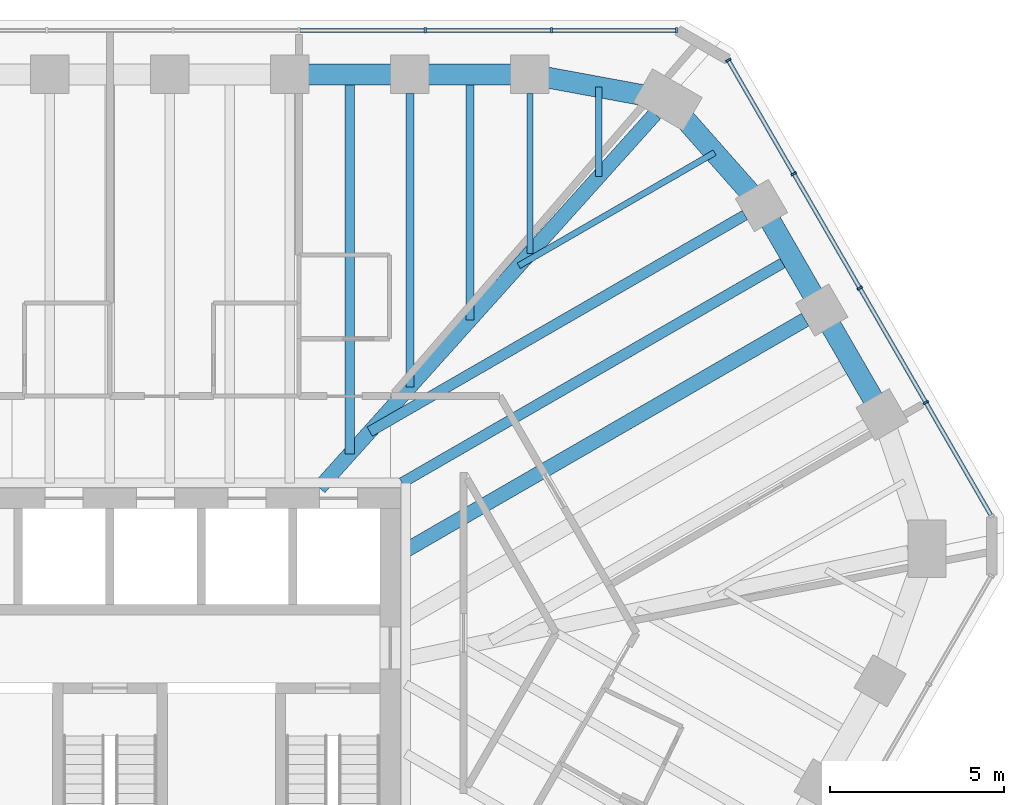
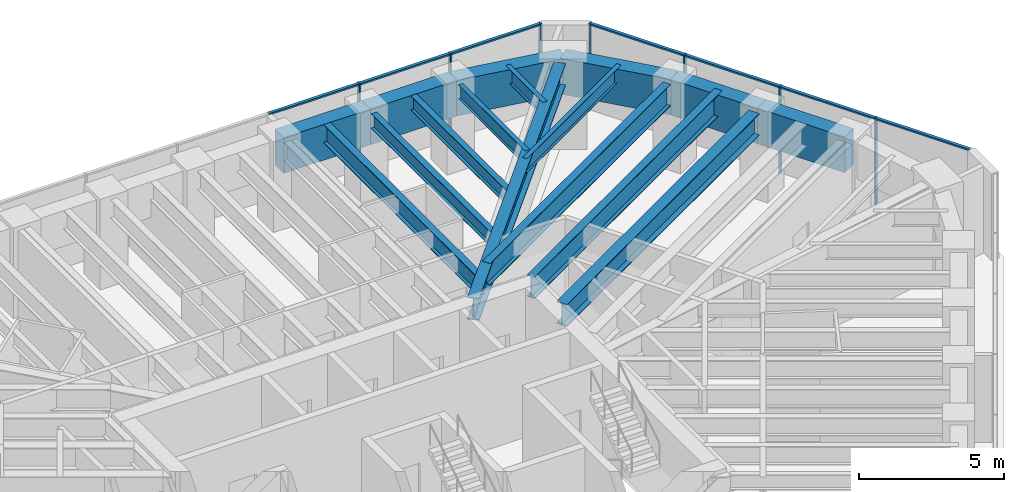
# One storey, part 7 of 14: 16 beams, 14 members, 2 elements without a shape of their own.
"""IFC4 building model written with IfcOpenShell, lengths in metres."""

from ifc_helpers import new_model, si_unit, direction, frame, origin, origin_2d, place, context, subcontext, project, spatial, rectangle, i_section, extrude, material, material_profile, profile_set, type_object, element, aggregate, save


model = new_model("IFC4")

# Units and contexts
model_context = context("Model", 3, precision=1e-05, world=origin(), true_north=direction((0.0, 1.0)))
body_context = subcontext(model_context, "Body", "Model", "MODEL_VIEW")
ifc_project = project(units=[si_unit("LENGTHUNIT", "METRE"), si_unit("AREAUNIT", "SQUARE_METRE"), si_unit("VOLUMEUNIT", "CUBIC_METRE"), si_unit("PLANEANGLEUNIT", "RADIAN"), si_unit("MASSUNIT", "GRAM", prefix="KILO")], contexts=[model_context])

# Site, building, storey
site_placement = place(None, origin())
site = spatial("IfcSite", under=ifc_project, at=site_placement, CompositionType="ELEMENT")
building_placement = place(site_placement, origin())
building = spatial("IfcBuilding", under=site, at=building_placement, Name="Sandreach Pilgrim Tower", CompositionType="ELEMENT")
storey_placement = place(building_placement, frame((0.0, 0.0, 295.0)))
storey = spatial("IfcBuildingStorey", under=building, at=storey_placement, Name="L74", CompositionType="ELEMENT", Elevation=295.0)

# Curtain wall, members
ifc_material_1 = material(Name="Aluminium framed curtain wall", Category="aluminium")
curtain_wall_type = type_object("IfcCurtainWallType", Name="Suite tower curtain wall", PredefinedType="NOTDEFINED", material=ifc_material_1)
curtain_wall_1_placement = place(storey_placement, origin())
curtain_wall_1 = element("IfcCurtainWall", 1, at=curtain_wall_1_placement, inside=storey, type_object=curtain_wall_type, Name="CW-4 L74 N", PredefinedType="NOTDEFINED")
ifc_material_2 = material(Name="Aluminium extrusion", Category="aluminium")
ifc_material_profile_1 = material_profile(ifc_material_2, rectangle(XDim=0.06005859375, YDim=0.159912109375, at=origin_2d()), Name="CW-4M 60X160")
ifc_profile_set_1 = profile_set([ifc_material_profile_1], Name="Aluminium extrusion")
member_type_1 = type_object("IfcMemberType", Name="CW-4 mullion", PredefinedType="MULLION", material=ifc_profile_set_1)
member_1_placement = place(storey_placement, frame((9.0546875, 19.826416015625, 0.0), z_axis=(0.0, 0.0, 1.0), x_axis=(1.0, 0.0, 0.0)))
member_1 = element("IfcMember", 2, at=member_1_placement, type_object=member_type_1, Name="CW-4 mullion 8", PredefinedType="MULLION", context=body_context, shape_type="SweptSolid", body=[
    extrude(rectangle(XDim=0.06005859375, YDim=0.159912109375, at=origin_2d()), origin(), (0.0, 0.0, 1.0), 3.639892578125),
])
member_2_placement = place(storey_placement, frame((12.676513671875, 19.826416015625, 0.0), z_axis=(0.0, 0.0, 1.0), x_axis=(1.0, 0.0, 0.0)))
member_2 = element("IfcMember", 3, at=member_2_placement, type_object=member_type_1, Name="CW-4 mullion 9", PredefinedType="MULLION", context=body_context, shape_type="SweptSolid", body=[
    extrude(rectangle(XDim=0.06005859375, YDim=0.159912109375, at=origin_2d()), origin(), (0.0, 0.0, 1.0), 3.639892578125),
])
member_3_placement = place(storey_placement, frame((16.268310546875, 19.826416015625, 0.0), z_axis=(0.0, 0.0, 1.0), x_axis=(1.0, 0.0, 0.0)))
member_3 = element("IfcMember", 4, at=member_3_placement, type_object=member_type_1, Name="CW-4 mullion 10", PredefinedType="MULLION", context=body_context, shape_type="SweptSolid", body=[
    extrude(rectangle(XDim=0.06005859375, YDim=0.159912109375, at=origin_2d()), origin(), (0.0, 0.0, 1.0), 3.639892578125),
])

curtain_wall_2_placement = place(storey_placement, origin())
curtain_wall_2 = element("IfcCurtainWall", 5, at=curtain_wall_2_placement, inside=storey, type_object=curtain_wall_type, Name="CW-4 L74 NE", PredefinedType="NOTDEFINED")
member_4_placement = place(storey_placement, frame((17.7509765625, 18.970458984375, 0.0), z_axis=(0.0, 0.0, 1.0), x_axis=(0.5, -0.866025403784, 0.0)))
member_4 = element("IfcMember", 6, at=member_4_placement, type_object=member_type_1, Name="CW-4 mullion 1", PredefinedType="MULLION", context=body_context, shape_type="SweptSolid", body=[
    extrude(rectangle(XDim=0.06005859375, YDim=0.159912109375, at=origin_2d()), origin(), (0.0, 0.0, 1.0), 3.639892578125),
])
member_5_placement = place(storey_placement, frame((19.6318359375, 15.712646484375, 0.0), z_axis=(0.0, 0.0, 1.0), x_axis=(0.5, -0.866025403784, 0.0)))
member_5 = element("IfcMember", 7, at=member_5_placement, type_object=member_type_1, Name="CW-4 mullion 2", PredefinedType="MULLION", context=body_context, shape_type="SweptSolid", body=[
    extrude(rectangle(XDim=0.06005859375, YDim=0.159912109375, at=origin_2d()), origin(), (0.0, 0.0, 1.0), 3.639892578125),
])
member_6_placement = place(storey_placement, frame((21.527587890625, 12.428955078125, 0.0), z_axis=(0.0, 0.0, 1.0), x_axis=(0.5, -0.866025403784, 0.0)))
member_6 = element("IfcMember", 8, at=member_6_placement, type_object=member_type_1, Name="CW-4 mullion 3", PredefinedType="MULLION", context=body_context, shape_type="SweptSolid", body=[
    extrude(rectangle(XDim=0.06005859375, YDim=0.159912109375, at=origin_2d()), origin(), (0.0, 0.0, 1.0), 3.639892578125),
])
member_7_placement = place(storey_placement, frame((23.423583984375, 9.145263671875, 0.0), z_axis=(0.0, 0.0, 1.0), x_axis=(0.5, -0.866025403784, 0.0)))
member_7 = element("IfcMember", 9, at=member_7_placement, type_object=member_type_1, Name="CW-4 mullion 4", PredefinedType="MULLION", context=body_context, shape_type="SweptSolid", body=[
    extrude(rectangle(XDim=0.06005859375, YDim=0.159912109375, at=origin_2d()), origin(), (0.0, 0.0, 1.0), 3.639892578125),
])

# Member
ifc_material_3 = material(Name="Aluminium extrusion", Category="aluminium")
ifc_material_profile_2 = material_profile(ifc_material_3, rectangle(XDim=0.1201171875, YDim=0.070068359375, at=origin_2d()), Name="CW-4T 120X70")
ifc_profile_set_2 = profile_set([ifc_material_profile_2], Name="Aluminium extrusion")
member_type_2 = type_object("IfcMemberType", Name="CW-4 transom", PredefinedType="USERDEFINED", material=ifc_profile_set_2)
member_8_placement = place(storey_placement, frame((5.462890625, 19.826416015625, 3.60498046875), z_axis=(1.0, 0.0, 0.0), x_axis=(0.0, 1.0, 0.0)))
member_8 = element("IfcMember", 10, at=member_8_placement, type_object=member_type_2, Name="CW-4 head transom 7", ObjectType="TRANSOM", PredefinedType="USERDEFINED", context=body_context, shape_type="SweptSolid", body=[
    extrude(rectangle(XDim=0.1201171875, YDim=0.070068359375, at=origin_2d()), origin(), (0.0, 0.0, 1.0), 3.561767578125),
])

member_9_placement = place(storey_placement, frame((9.084716796875, 19.826416015625, 3.60498046875), z_axis=(1.0, 0.0, 0.0), x_axis=(0.0, 1.0, 0.0)))
member_9 = element("IfcMember", 11, at=member_9_placement, type_object=member_type_2, Name="CW-4 head transom 8", ObjectType="TRANSOM", PredefinedType="USERDEFINED", context=body_context, shape_type="SweptSolid", body=[
    extrude(rectangle(XDim=0.1201171875, YDim=0.070068359375, at=origin_2d()), origin(), (0.0, 0.0, 1.0), 3.561767578125),
])

member_10_placement = place(storey_placement, frame((12.70654296875, 19.826416015625, 3.60498046875), z_axis=(1.0, 0.0, 0.0), x_axis=(0.0, 1.0, 0.0)))
member_10 = element("IfcMember", 12, at=member_10_placement, type_object=member_type_2, Name="CW-4 head transom 9", ObjectType="TRANSOM", PredefinedType="USERDEFINED", context=body_context, shape_type="SweptSolid", body=[
    extrude(rectangle(XDim=0.1201171875, YDim=0.070068359375, at=origin_2d()), origin(), (0.0, 0.0, 1.0), 3.53173828125),
])

aggregate(curtain_wall_1, [member_1, member_2, member_3, member_8, member_9, member_10])

member_11_placement = place(storey_placement, frame((17.76611328125, 18.944580078125, 3.60498046875), z_axis=(0.499990780478, -0.866030726613, 0.0), x_axis=(0.866030726613, 0.499990780478, 0.0)))
member_11 = element("IfcMember", 13, at=member_11_placement, type_object=member_type_2, Name="CW-4 head transom 1", ObjectType="TRANSOM", PredefinedType="USERDEFINED", context=body_context, shape_type="SweptSolid", body=[
    extrude(rectangle(XDim=0.1201171875, YDim=0.070068359375, at=origin_2d()), origin(), (0.0, 0.0, 1.0), 3.70166015625),
])

member_12_placement = place(storey_placement, frame((19.646728515625, 15.686767578125, 3.60498046875), z_axis=(0.500030151002, -0.866007995396, 0.0), x_axis=(0.866007995396, 0.500030151002, 0.0)))
member_12 = element("IfcMember", 14, at=member_12_placement, type_object=member_type_2, Name="CW-4 head transom 2", ObjectType="TRANSOM", PredefinedType="USERDEFINED", context=body_context, shape_type="SweptSolid", body=[
    extrude(rectangle(XDim=0.1201171875, YDim=0.070068359375, at=origin_2d()), origin(), (0.0, 0.0, 1.0), 3.731689453125),
])

member_13_placement = place(storey_placement, frame((21.542724609375, 12.403076171875, 3.60498046875), z_axis=(0.499981083104, -0.866036325184, 0.0), x_axis=(0.866036325184, 0.499981083104, 0.0)))
member_13 = element("IfcMember", 15, at=member_13_placement, type_object=member_type_2, Name="CW-4 head transom 3", ObjectType="TRANSOM", PredefinedType="USERDEFINED", context=body_context, shape_type="SweptSolid", body=[
    extrude(rectangle(XDim=0.1201171875, YDim=0.070068359375, at=origin_2d()), origin(), (0.0, 0.0, 1.0), 3.731689453125),
])

member_14_placement = place(storey_placement, frame((23.4384765625, 9.119384765625, 3.60498046875), z_axis=(0.499990780478, -0.866030726613, 0.0), x_axis=(0.866030726613, 0.499990780478, 0.0)))
member_14 = element("IfcMember", 16, at=member_14_placement, type_object=member_type_2, Name="CW-4 head transom 4", ObjectType="TRANSOM", PredefinedType="USERDEFINED", context=body_context, shape_type="SweptSolid", body=[
    extrude(rectangle(XDim=0.1201171875, YDim=0.070068359375, at=origin_2d()), origin(), (0.0, 0.0, 1.0), 3.70166015625),
])

aggregate(curtain_wall_2, [member_4, member_5, member_6, member_7, member_11, member_12, member_13, member_14])

# Beams
ifc_material_4 = material(Name="Steel ASTM A992 Grade 50", Category="steel")
ifc_material_profile_3 = material_profile(ifc_material_4, i_section(OverallWidth=0.421630859375, OverallDepth=0.937255859375, WebThickness=0.0224609375, FlangeThickness=0.039794921875, at=origin_2d()), Name="W36X282")
ifc_profile_set_3 = profile_set([ifc_material_profile_3], Name="Steel ASTM A992 Grade 50")
beam_type_1 = type_object("IfcBeamType", Name="Corner girder W36X282", PredefinedType="BEAM", material=ifc_profile_set_3)
beam_1_placement = place(storey_placement, frame((15.649169921875, 17.427978515625, 3.17138671875), z_axis=(-0.668114851597, -0.74405815974, 0.0), x_axis=(0.74405815974, -0.668114851597, 0.0)))
element("IfcBeam", 17, at=beam_1_placement, inside=storey, type_object=beam_type_1, Name="BM L74 CG09", PredefinedType="BEAM", context=body_context, shape_type="SweptSolid", body=[
    extrude(i_section(OverallWidth=0.421630859375, OverallDepth=0.937255859375, WebThickness=0.0224609375, FlangeThickness=0.039794921875, at=origin_2d()), origin(), (0.0, 0.0, 1.0), 14.418212890625),
])
ifc_material_5 = material(Name="Steel ASTM A992 Grade 50", Category="steel")
ifc_material_profile_4 = material_profile(ifc_material_5, i_section(OverallWidth=0.1787109375, OverallDepth=0.60205078125, WebThickness=0.010986328125, FlangeThickness=0.014892578125, at=origin_2d()), Name="W24X62")
ifc_profile_set_4 = profile_set([ifc_material_profile_4], Name="Steel ASTM A992 Grade 50")
beam_type_2 = type_object("IfcBeamType", Name="Floor beam W24X62", PredefinedType="BEAM", material=ifc_profile_set_4)
beam_2_placement = place(storey_placement, frame((12.0576171875, 18.016357421875, 3.339111328125), z_axis=(0.0, -1.0, 0.0), x_axis=(1.0, 0.0, 0.0)))
element("IfcBeam", 18, at=beam_2_placement, inside=storey, type_object=beam_type_2, Name="BM L74 F08", PredefinedType="BEAM", context=body_context, shape_type="SweptSolid", body=[
    extrude(i_section(OverallWidth=0.1787109375, OverallDepth=0.60205078125, WebThickness=0.010986328125, FlangeThickness=0.014892578125, at=origin_2d()), origin(), (0.0, 0.0, 1.0), 4.58837890625),
])
beam_3_placement = place(storey_placement, frame((14.037109375, 18.201904296875, 3.339111328125), z_axis=(0.0, -1.0, 0.0), x_axis=(1.0, 0.0, 0.0)))
element("IfcBeam", 19, at=beam_3_placement, inside=storey, type_object=beam_type_2, Name="BM L74 FM08", PredefinedType="BEAM", context=body_context, shape_type="SweptSolid", body=[
    extrude(i_section(OverallWidth=0.1787109375, OverallDepth=0.60205078125, WebThickness=0.010986328125, FlangeThickness=0.014892578125, at=origin_2d()), origin(), (0.0, 0.0, 1.0), 2.5693359375),
])
beam_4_placement = place(storey_placement, frame((17.360107421875, 16.31884765625, 3.339111328125), z_axis=(-0.866023980233, -0.500002465655, 0.0), x_axis=(0.500002465655, -0.866023980233, 0.0)))
element("IfcBeam", 20, at=beam_4_placement, inside=storey, type_object=beam_type_2, Name="BM L74 FM09", PredefinedType="BEAM", context=body_context, shape_type="SweptSolid", body=[
    extrude(i_section(OverallWidth=0.1787109375, OverallDepth=0.60205078125, WebThickness=0.010986328125, FlangeThickness=0.014892578125, at=origin_2d()), origin(), (0.0, 0.0, 1.0), 6.49072265625),
])
ifc_material_6 = material(Name="Steel ASTM A992 Grade 50", Category="steel")
ifc_material_profile_5 = material_profile(ifc_material_6, i_section(OverallWidth=0.23046875, OverallDepth=0.6171875, WebThickness=0.01318359375, FlangeThickness=0.022216796875, at=origin_2d()), Name="W24X94")
ifc_profile_set_5 = profile_set([ifc_material_profile_5], Name="Steel ASTM A992 Grade 50")
beam_type_3 = type_object("IfcBeamType", Name="Floor beam W24X94", PredefinedType="BEAM", material=ifc_profile_set_5)
beam_5_placement = place(storey_placement, frame((8.612548828125, 18.016357421875, 3.331298828125), z_axis=(0.0, -1.0, 0.0), x_axis=(1.0, 0.0, 0.0)))
element("IfcBeam", 21, at=beam_5_placement, inside=storey, type_object=beam_type_3, Name="BM L74 F07", PredefinedType="BEAM", context=body_context, shape_type="SweptSolid", body=[
    extrude(i_section(OverallWidth=0.23046875, OverallDepth=0.6171875, WebThickness=0.01318359375, FlangeThickness=0.022216796875, at=origin_2d()), origin(), (0.0, 0.0, 1.0), 8.4248046875),
])
beam_6_placement = place(storey_placement, frame((10.3349609375, 18.56640625, 3.331298828125), z_axis=(0.0, -1.0, 0.0), x_axis=(1.0, 0.0, 0.0)))
element("IfcBeam", 22, at=beam_6_placement, inside=storey, type_object=beam_type_3, Name="BM L74 FM07", PredefinedType="BEAM", context=body_context, shape_type="SweptSolid", body=[
    extrude(i_section(OverallWidth=0.23046875, OverallDepth=0.6171875, WebThickness=0.01318359375, FlangeThickness=0.022216796875, at=origin_2d()), origin(), (0.0, 0.0, 1.0), 7.056640625),
])
ifc_material_7 = material(Name="Steel ASTM A992 Grade 50", Category="steel")
ifc_material_profile_6 = material_profile(ifc_material_7, i_section(OverallWidth=0.2666015625, OverallDepth=0.77978515625, WebThickness=0.0166015625, FlangeThickness=0.030029296875, at=origin_2d()), Name="W30X148")
ifc_profile_set_6 = profile_set([ifc_material_profile_6], Name="Steel ASTM A992 Grade 50")
beam_type_4 = type_object("IfcBeamType", Name="Floor beam W30X148", PredefinedType="BEAM", material=ifc_profile_set_6)
beam_7_placement = place(storey_placement, frame((6.89013671875, 18.56640625, 3.25), z_axis=(0.0, -1.0, 0.0), x_axis=(1.0, 0.0, 0.0)))
element("IfcBeam", 23, at=beam_7_placement, inside=storey, type_object=beam_type_4, Name="BM L74 FM06", PredefinedType="BEAM", context=body_context, shape_type="SweptSolid", body=[
    extrude(i_section(OverallWidth=0.2666015625, OverallDepth=0.77978515625, WebThickness=0.0166015625, FlangeThickness=0.030029296875, at=origin_2d()), origin(), (0.0, 0.0, 1.0), 10.893310546875),
])
ifc_material_8 = material(Name="Steel ASTM A992 Grade 50", Category="steel")
ifc_material_profile_7 = material_profile(ifc_material_8, i_section(OverallWidth=0.3046875, OverallDepth=0.914306640625, WebThickness=0.0166015625, FlangeThickness=0.02587890625, at=origin_2d()), Name="W36X160")
ifc_profile_set_7 = profile_set([ifc_material_profile_7], Name="Steel ASTM A992 Grade 50")
beam_type_5 = type_object("IfcBeamType", Name="Floor beam W36X160", PredefinedType="BEAM", material=ifc_profile_set_7)
beam_8_placement = place(storey_placement, frame((18.227294921875, 14.525390625, 3.182861328125), z_axis=(-0.866020427415, -0.500008619226, 0.0), x_axis=(0.500008619226, -0.866020427415, 0.0)))
element("IfcBeam", 24, at=beam_8_placement, inside=storey, type_object=beam_type_5, Name="BM L74 F10", PredefinedType="BEAM", context=body_context, shape_type="SweptSolid", body=[
    extrude(i_section(OverallWidth=0.3046875, OverallDepth=0.914306640625, WebThickness=0.0166015625, FlangeThickness=0.02587890625, at=origin_2d()), origin(), (0.0, 0.0, 1.0), 12.431396484375),
])
beam_9_placement = place(storey_placement, frame((19.570068359375, 13.299560546875, 3.182861328125), z_axis=(-0.866025008595, -0.500000684488, 0.0), x_axis=(0.500000684488, -0.866025008595, 0.0)))
element("IfcBeam", 25, at=beam_9_placement, inside=storey, type_object=beam_type_5, Name="BM L74 FM10", PredefinedType="BEAM", context=body_context, shape_type="SweptSolid", body=[
    extrude(i_section(OverallWidth=0.3046875, OverallDepth=0.914306640625, WebThickness=0.0166015625, FlangeThickness=0.02587890625, at=origin_2d()), origin(), (0.0, 0.0, 1.0), 12.91259765625),
])
ifc_material_9 = material(Name="Steel ASTM A992 Grade 50", Category="steel")
ifc_material_profile_8 = material_profile(ifc_material_9, i_section(OverallWidth=0.419189453125, OverallDepth=0.927001953125, WebThickness=0.019287109375, FlangeThickness=0.031982421875, at=origin_2d()), Name="W36X231")
ifc_profile_set_8 = profile_set([ifc_material_profile_8], Name="Steel ASTM A992 Grade 50")
beam_type_6 = type_object("IfcBeamType", Name="Floor beam W36X231", PredefinedType="BEAM", material=ifc_profile_set_8)
beam_10_placement = place(storey_placement, frame((19.960205078125, 11.52392578125, 3.176513671875), z_axis=(-0.86602530353, -0.500000173646, 0.0), x_axis=(0.500000173646, -0.86602530353, 0.0)))
element("IfcBeam", 26, at=beam_10_placement, inside=storey, type_object=beam_type_6, Name="BM L74 F11", PredefinedType="BEAM", context=body_context, shape_type="SweptSolid", body=[
    extrude(i_section(OverallWidth=0.419189453125, OverallDepth=0.927001953125, WebThickness=0.019287109375, FlangeThickness=0.031982421875, at=origin_2d()), origin(), (0.0, 0.0, 1.0), 13.24072265625),
])
ifc_material_10 = material(Name="Concrete 10000 psi", Category="concrete")
ifc_material_profile_9 = material_profile(ifc_material_10, rectangle(XDim=0.60009765625, YDim=1.5, at=origin_2d()), Name="RC600X1500")
ifc_profile_set_9 = profile_set([ifc_material_profile_9], Name="Concrete 10000 psi")
beam_type_7 = type_object("IfcBeamType", Name="Spandrel beam RC600X1500", PredefinedType="SPANDREL", material=ifc_profile_set_9)
for number, where, z_axis, x_axis, name in (
    (27, (5.16748046875, 18.56640625, 2.889892578125), (1.0, 0.0, 0.0), (0.0, 1.0, 0.0), "BM L74 SP06"),
    (28, (8.612548828125, 18.56640625, 2.889892578125), (1.0, 0.0, 0.0), (0.0, 1.0, 0.0), "BM L74 SP07"),
):
    element("IfcBeam", number, at=place(storey_placement, frame(where, z_axis=z_axis, x_axis=x_axis)), inside=storey, type_object=beam_type_7, Name=name, PredefinedType="SPANDREL", context=body_context, shape_type="SweptSolid", body=[
        extrude(rectangle(XDim=0.60009765625, YDim=1.5, at=origin_2d()), origin(), (0.0, 0.0, 1.0), 3.445068359375),
    ])
beam_11_placement = place(storey_placement, frame((12.0576171875, 18.56640625, 2.889892578125), z_axis=(0.983454894629, -0.181153167875, 0.0), x_axis=(0.181153167875, 0.983454894629, 0.0)))
element("IfcBeam", 29, at=beam_11_placement, inside=storey, type_object=beam_type_7, Name="BM L74 SP08", PredefinedType="SPANDREL", context=body_context, shape_type="SweptSolid", body=[
    extrude(rectangle(XDim=0.60009765625, YDim=1.5, at=origin_2d()), origin(), (0.0, 0.0, 1.0), 4.025634765625),
])
beam_12_placement = place(storey_placement, frame((16.0166015625, 17.837158203125, 2.889892578125), z_axis=(0.662650525414, -0.748928755736, 0.0), x_axis=(0.748928755736, 0.662650525414, 0.0)))
element("IfcBeam", 30, at=beam_12_placement, inside=storey, type_object=beam_type_7, Name="BM L74 SP09", PredefinedType="SPANDREL", context=body_context, shape_type="SweptSolid", body=[
    extrude(rectangle(XDim=0.60009765625, YDim=1.5, at=origin_2d()), origin(), (0.0, 0.0, 1.0), 4.054931640625),
])
for number, where, z_axis, x_axis, name in (
    (31, (18.70361328125, 14.80029296875, 2.889892578125), (0.500033451825, -0.866006089503, 0.0), (0.866006089503, 0.500033451825, 0.0), "BM L74 SP10"),
    (32, (20.4365234375, 11.799072265625, 2.889892578125), (0.499980616072, -0.866036594811, 0.0), (0.866036594811, 0.499980616072, 0.0), "BM L74 SP11"),
):
    element("IfcBeam", number, at=place(storey_placement, frame(where, z_axis=z_axis, x_axis=x_axis)), inside=storey, type_object=beam_type_7, Name=name, PredefinedType="SPANDREL", context=body_context, shape_type="SweptSolid", body=[
        extrude(rectangle(XDim=0.60009765625, YDim=1.5, at=origin_2d()), origin(), (0.0, 0.0, 1.0), 3.465576171875),
    ])

save(model, "model.ifc")
